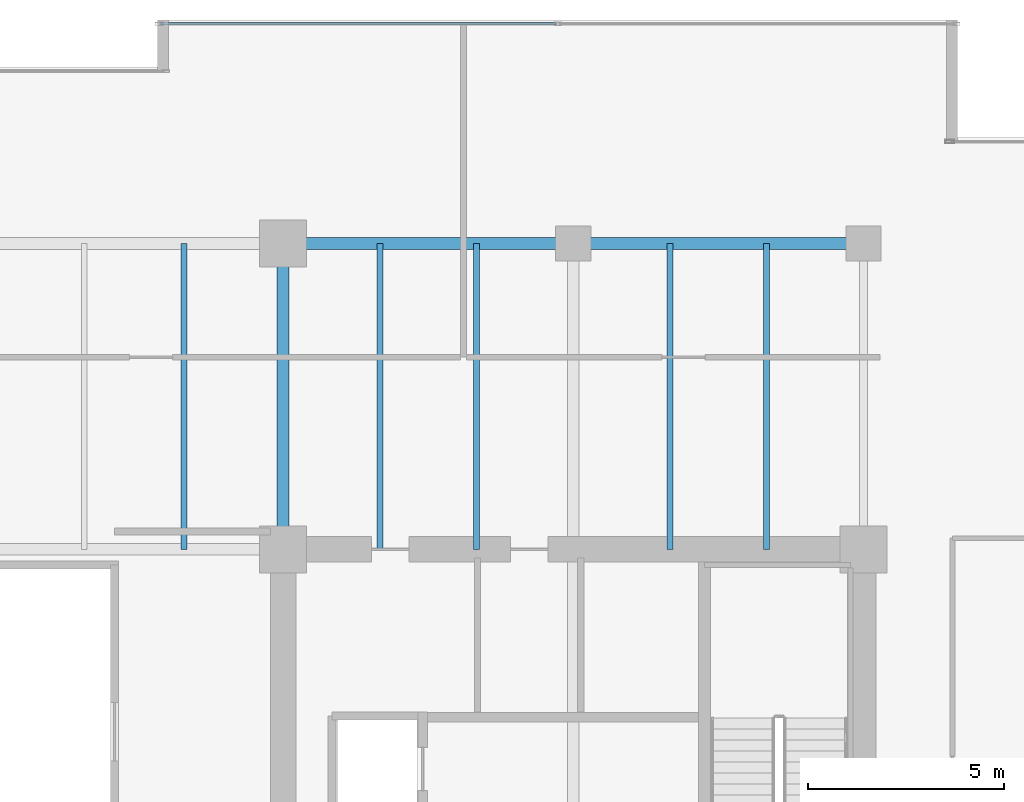
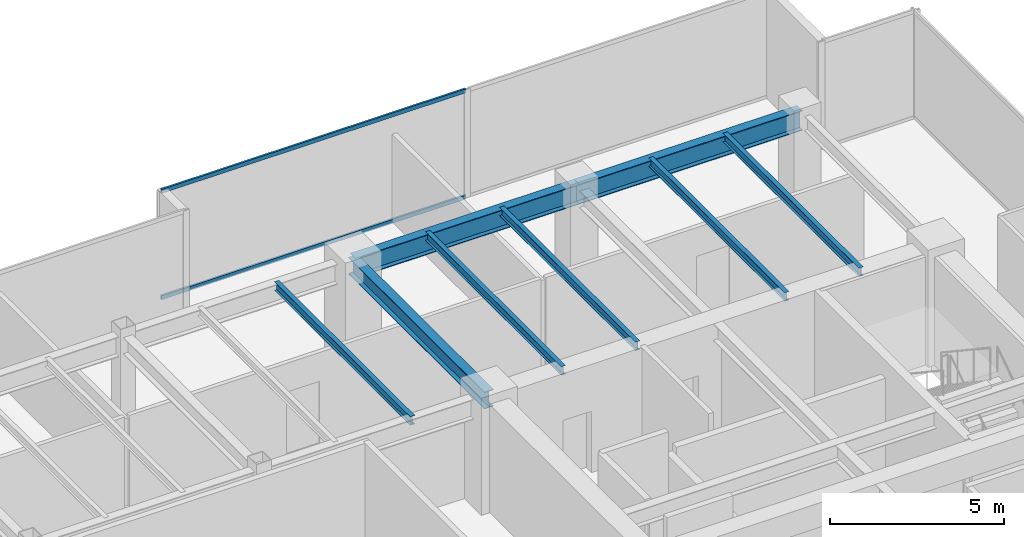
# One storey, part 19 of 31: 8 beams, 2 members, 1 element without a shape of its own.
"""IFC4 building model written with IfcOpenShell, lengths in metres."""

from ifc_helpers import new_model, si_unit, direction, frame, origin, origin_2d, place, context, subcontext, project, spatial, hollow_rectangle, i_section, extrude, source, transform, mapped, material, layer, layer_set, material_profile, profile_set, type_object, type_shapes, element, aggregate, save


model = new_model("IFC4")

# Units and contexts
model_context = context("Model", 3, precision=1e-05, world=origin(), true_north=direction((0.0, 1.0)))
body_context = subcontext(model_context, "Body", "Model", "MODEL_VIEW")
ifc_project = project(units=[si_unit("LENGTHUNIT", "METRE"), si_unit("AREAUNIT", "SQUARE_METRE"), si_unit("VOLUMEUNIT", "CUBIC_METRE"), si_unit("PLANEANGLEUNIT", "RADIAN"), si_unit("MASSUNIT", "GRAM", prefix="KILO")], contexts=[model_context])

# Site, building, storey
site_placement = place(None, origin())
site = spatial("IfcSite", under=ifc_project, at=site_placement, CompositionType="ELEMENT")
building_placement = place(site_placement, origin())
building = spatial("IfcBuilding", under=site, at=building_placement, Name="Haelvirn Gate Laboratories", CompositionType="ELEMENT")
storey_placement = place(building_placement, frame((0.0, 0.0, 174.800048828125)))
storey = spatial("IfcBuildingStorey", under=building, at=storey_placement, Name="L42", CompositionType="ELEMENT", Elevation=174.800048828125)

# Beams
ifc_material_1 = material(Name="Steel SM355", Category="steel")
ifc_material_profile_1 = material_profile(ifc_material_1, i_section(OverallWidth=0.300048828125, OverallDepth=0.699951171875, WebThickness=0.012939453125, FlangeThickness=0.02392578125, at=origin_2d()), Name="H-700x300x13x24")
ifc_profile_set_1 = profile_set([ifc_material_profile_1], Name="Steel SM355")
beam_type_1 = type_object("IfcBeamType", Name="BM-G-700", PredefinedType="BEAM", material=ifc_profile_set_1)
shared_shape_1 = source(origin(), body_context, "Body", "SweptSolid", [
    extrude(i_section(OverallWidth=0.300048828125, OverallDepth=0.699951171875, WebThickness=0.012939453125, FlangeThickness=0.02392578125, at=origin_2d()), origin(), (0.0, 0.0, 1.0), 7.39990234375),
])
type_shapes(beam_type_1, [shared_shape_1])
for number, where, z_axis, x_axis, name in (
    (1, (52.60009765625, 41.60009765625, 3.43994140625), (1.0, 0.0, 0.0), (0.0, 1.0, 0.0), "L42 Primary Girder Y41.6 (52.6-60.0)"),
    (2, (60.0, 41.60009765625, 3.43994140625), (1.0, 0.0, 0.0), (0.0, 1.0, 0.0), "L42 Primary Girder Y41.6 (60.0-67.4)"),
):
    element("IfcBeam", number, at=place(storey_placement, frame(where, z_axis=z_axis, x_axis=x_axis)), inside=storey, type_object=beam_type_1, Name=name, PredefinedType="BEAM", context=body_context, shape_type="MappedRepresentation", body=[
        mapped(shared_shape_1, transform((0.0, 0.0, 0.0), scale=1.0)),
    ])
ifc_material_profile_2 = material_profile(ifc_material_1, i_section(OverallWidth=0.14990234375, OverallDepth=0.300048828125, WebThickness=0.006591796875, FlangeThickness=0.009033203125, at=origin_2d()), Name="H-300x150x6.5x9")
ifc_profile_set_2 = profile_set([ifc_material_profile_2], Name="Steel SM355")
beam_type_2 = type_object("IfcBeamType", Name="BM-J-300", PredefinedType="JOIST", material=ifc_profile_set_2)
shared_shape_2 = source(origin(), body_context, "Body", "SweptSolid", [
    extrude(i_section(OverallWidth=0.14990234375, OverallDepth=0.300048828125, WebThickness=0.006591796875, FlangeThickness=0.009033203125, at=origin_2d()), origin(), (0.0, 0.0, 1.0), 7.800048828125),
])
type_shapes(beam_type_2, [shared_shape_2])
for number, where, z_axis, x_axis, name in (
    (3, (50.070068359375, 33.800048828125, 3.639892578125), (0.0, 1.0, 0.0), (-1.0, 0.0, 0.0), "L42 Composite Lab Joist North X50.07"),
    (4, (55.070068359375, 33.800048828125, 3.639892578125), (0.0, 1.0, 0.0), (-1.0, 0.0, 0.0), "L42 Composite Lab Joist North X55.07"),
    (5, (57.530029296875, 33.800048828125, 3.639892578125), (0.0, 1.0, 0.0), (-1.0, 0.0, 0.0), "L42 Composite Lab Joist North X57.53"),
    (6, (62.469970703125, 33.800048828125, 3.639892578125), (0.0, 1.0, 0.0), (-1.0, 0.0, 0.0), "L42 Composite Lab Joist North X62.47"),
    (7, (64.929931640625, 33.800048828125, 3.639892578125), (0.0, 1.0, 0.0), (-1.0, 0.0, 0.0), "L42 Composite Lab Joist North X64.93"),
):
    element("IfcBeam", number, at=place(storey_placement, frame(where, z_axis=z_axis, x_axis=x_axis)), inside=storey, type_object=beam_type_2, Name=name, PredefinedType="JOIST", context=body_context, shape_type="MappedRepresentation", body=[
        mapped(shared_shape_2, transform((0.0, 0.0, 0.0), scale=1.0)),
    ])
ifc_material_profile_3 = material_profile(ifc_material_1, i_section(OverallWidth=0.300048828125, OverallDepth=0.587890625, WebThickness=0.011962890625, FlangeThickness=0.02001953125, at=origin_2d()), Name="H-588x300x12x20")
ifc_profile_set_3 = profile_set([ifc_material_profile_3], Name="Steel SM355")
beam_type_3 = type_object("IfcBeamType", Name="BM-G-588", PredefinedType="BEAM", material=ifc_profile_set_3)
shared_shape_3 = source(origin(), body_context, "Body", "SweptSolid", [
    extrude(i_section(OverallWidth=0.300048828125, OverallDepth=0.587890625, WebThickness=0.011962890625, FlangeThickness=0.02001953125, at=origin_2d()), origin(), (0.0, 0.0, 1.0), 7.800048828125),
])
type_shapes(beam_type_3, [shared_shape_3])
beam_placement = place(storey_placement, frame((52.60009765625, 33.800048828125, 3.495849609375), z_axis=(0.0, 1.0, 0.0), x_axis=(-1.0, 0.0, 0.0)))
element("IfcBeam", 8, at=beam_placement, inside=storey, type_object=beam_type_3, Name="L42 Frame Girder X52.6 (33.8-41.6)", PredefinedType="BEAM", context=body_context, shape_type="MappedRepresentation", body=[
    mapped(shared_shape_3, transform((0.0, 0.0, 0.0), scale=1.0)),
])

# Curtain wall, members
ifc_material_2 = material(Name="Anodised bronze unitised aluminium & triple low-E glass", Category="aluminium")
ifc_layer = layer(ifc_material_2, 0.179931640625, Name="CW-SYS-3")
ifc_layer_set = layer_set([ifc_layer], Name="Anodised bronze unitised aluminium & triple low-E glass")
curtain_wall_type = type_object("IfcCurtainWallType", Name="CW-SYS-3", PredefinedType="NOTDEFINED", material=ifc_layer_set)
curtain_wall_placement = place(storey_placement, origin())
curtain_wall = element("IfcCurtainWall", 9, at=curtain_wall_placement, inside=storey, type_object=curtain_wall_type, Name="L42 Unitised Curtain Wall CW-L42-P0-E10-1", PredefinedType="NOTDEFINED")
ifc_material_3 = material(Name="Extruded aluminium 6063-T6 (anodised bronze)", Category="aluminium")
ifc_material_profile_4 = material_profile(ifc_material_3, hollow_rectangle(XDim=0.06494140625, YDim=0.139892578125, WallThickness=0.00390625, at=origin_2d()), Name="CWT-140x65x4")
ifc_profile_set_4 = profile_set([ifc_material_profile_4], Name="Extruded aluminium 6063-T6 (anodised bronze)")
member_type = type_object("IfcMemberType", Name="CWT-T140", PredefinedType="USERDEFINED", material=ifc_profile_set_4)
shared_shape_4 = source(origin(), body_context, "Body", "SweptSolid", [
    extrude(hollow_rectangle(XDim=0.06494140625, YDim=0.139892578125, WallThickness=0.00390625, at=origin_2d()), origin(), (0.0, 0.0, 1.0), 10.08740234375),
])
type_shapes(member_type, [shared_shape_4])
member_1_placement = place(storey_placement, frame((49.47509765625, 47.199951171875, 0.032470703125), z_axis=(1.0, 0.0, 0.0), x_axis=(0.0, 1.0, 0.0)))
member_1 = element("IfcMember", 10, at=member_1_placement, type_object=member_type, Name="CW3 transom 1.1", ObjectType="TRANSOM", PredefinedType="USERDEFINED", context=body_context, shape_type="MappedRepresentation", body=[
    mapped(shared_shape_4, transform((0.0, 0.0, 0.0), scale=1.0)),
])
member_2_placement = place(storey_placement, frame((49.47509765625, 47.199951171875, 3.757568359375), z_axis=(1.0, 0.0, 0.0), x_axis=(0.0, 1.0, 0.0)))
member_2 = element("IfcMember", 11, at=member_2_placement, type_object=member_type, Name="CW3 transom 1.2", ObjectType="TRANSOM", PredefinedType="USERDEFINED", context=body_context, shape_type="MappedRepresentation", body=[
    mapped(shared_shape_4, transform((0.0, 0.0, 0.0), scale=1.0)),
])
aggregate(curtain_wall, [member_1, member_2])

save(model, "model.ifc")
